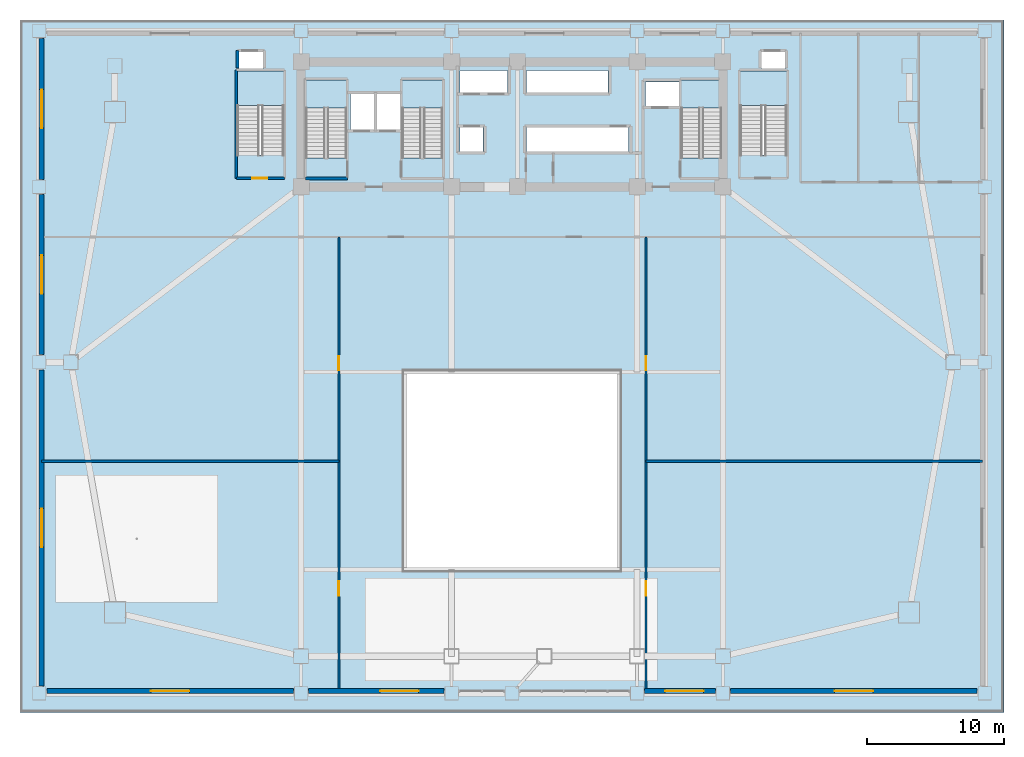
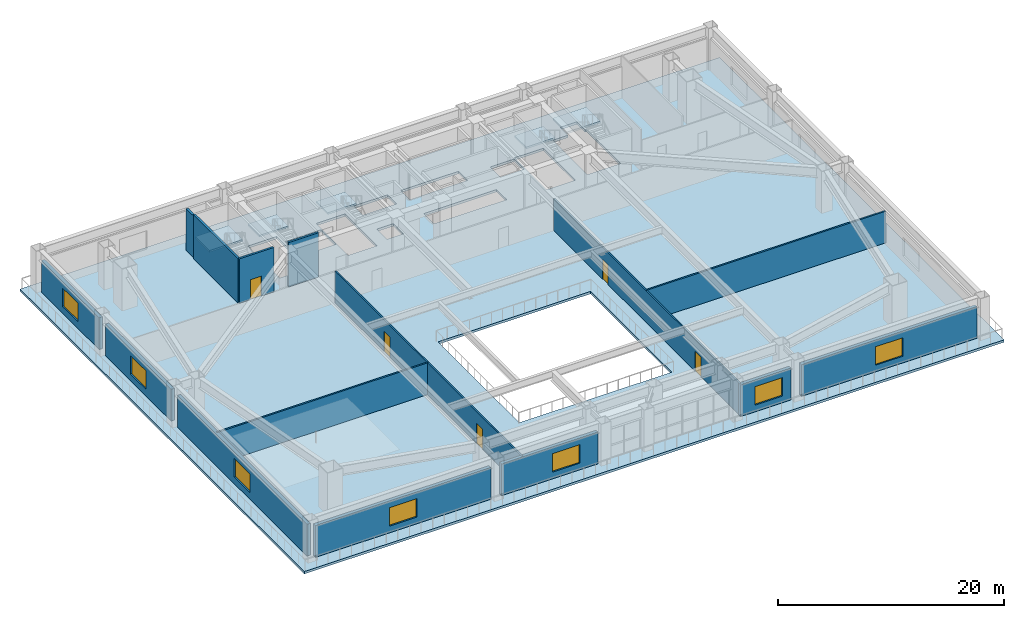
# One storey, part 6 of 14: 15 walls, 7 windows, 6 slabs, 5 doors, 12 openings, 5 elements without a shape of their own.
"""IFC4 building model written with IfcOpenShell, lengths in metres."""

from ifc_helpers import new_model, si_unit, direction, frame, frame_2d, origin, place, context, subcontext, project, spatial, polyline, rectangle, outline, extrude, source, transform, mapped, material, layer, layer_set, type_object, element, fill, aggregate, save


model = new_model("IFC4")

# Units and contexts
model_context = context("Model", 3, precision=1e-05, world=origin(), true_north=direction((0.0, 1.0)))
body_context = subcontext(model_context, "Body", "Model", "MODEL_VIEW")
ifc_project = project(units=[si_unit("LENGTHUNIT", "METRE"), si_unit("AREAUNIT", "SQUARE_METRE"), si_unit("VOLUMEUNIT", "CUBIC_METRE"), si_unit("PLANEANGLEUNIT", "RADIAN"), si_unit("MASSUNIT", "GRAM", prefix="KILO")], contexts=[model_context])

# Site, building, storey
site_placement = place(None, origin())
site = spatial("IfcSite", under=ifc_project, at=site_placement, CompositionType="ELEMENT")
building_placement = place(site_placement, origin())
building = spatial("IfcBuilding", under=site, at=building_placement, Name="Giltprow Tower", CompositionType="ELEMENT")
storey_placement = place(building_placement, frame((0.0, 0.0, 10.39990234375)))
storey = spatial("IfcBuildingStorey", under=building, at=storey_placement, Name="L03", CompositionType="ELEMENT", Elevation=10.39990234375)

# Slab
ifc_material_1 = material(Name="Concrete C40", Category="concrete")
ifc_layer_1 = layer(ifc_material_1, 0.260009765625, Name="Concrete C40")
ifc_layer_set_1 = layer_set([ifc_layer_1], Name="Concrete C40")
slab_type_1 = type_object("IfcSlabType", Name="SLB-POD-260", PredefinedType="FLOOR", material=ifc_layer_set_1)
slab_1_placement = place(storey_placement, frame((0.0, 0.0, -0.260009765625)))
element("IfcSlab", 1, at=slab_1_placement, inside=storey, type_object=slab_type_1, Name="L03 Structural Composite Floor Slab", PredefinedType="FLOOR", context=body_context, shape_type="SweptSolid", body=[
    extrude(outline(polyline([(-0.60009765625, 49.60009765625), (71.0, 49.60009765625), (71.0, -0.800048828125), (-0.60009765625, -0.800048828125), (-0.60009765625, 49.60009765625)]), holes=[polyline([(31.419921875, 41.800048828125), (31.419921875, 40.0), (33.10009765625, 40.0), (33.10009765625, 41.800048828125), (31.419921875, 41.800048828125)]), polyline([(23.159912109375, 39.570068359375), (23.159912109375, 45.25), (20.199951171875, 45.25), (20.199951171875, 39.570068359375), (23.159912109375, 39.570068359375)]), polyline([(30.159912109375, 39.570068359375), (30.159912109375, 45.25), (27.199951171875, 45.25), (27.199951171875, 39.570068359375), (30.159912109375, 39.570068359375)]), polyline([(18.60009765625, 39.77001953125), (18.60009765625, 45.89990234375), (17.070068359375, 45.89990234375), (17.070068359375, 47.300048828125), (15.35009765625, 47.300048828125), (15.35009765625, 45.89990234375), (15.199951171875, 45.89990234375), (15.199951171875, 39.77001953125), (18.60009765625, 39.77001953125)]), polyline([(25.169921875, 41.60009765625), (25.169921875, 44.199951171875), (23.449951171875, 44.199951171875), (23.449951171875, 41.60009765625), (25.169921875, 41.60009765625)]), polyline([(27.10009765625, 41.60009765625), (27.10009765625, 44.199951171875), (25.35009765625, 44.199951171875), (25.35009765625, 41.60009765625), (27.10009765625, 41.60009765625)]), polyline([(34.8798828125, 44.300048828125), (34.8798828125, 45.919921875), (31.419921875, 45.919921875), (31.419921875, 44.300048828125), (34.8798828125, 44.300048828125)]), polyline([(43.0, 9.60009765625), (43.0, 24.0), (27.39990234375, 24.0), (27.39990234375, 9.60009765625), (43.0, 9.60009765625)]), polyline([(43.659912109375, 40.0), (43.659912109375, 41.800048828125), (36.239990234375, 41.800048828125), (36.239990234375, 40.0), (43.659912109375, 40.0)]), polyline([(50.4599609375, 39.570068359375), (50.4599609375, 45.25), (47.5, 45.25), (47.5, 39.570068359375), (50.4599609375, 39.570068359375)]), polyline([(53.35009765625, 47.300048828125), (53.35009765625, 45.89990234375), (51.800048828125, 45.89990234375), (51.800048828125, 39.77001953125), (55.199951171875, 39.77001953125), (55.199951171875, 45.89990234375), (55.070068359375, 45.89990234375), (55.070068359375, 47.300048828125), (53.35009765625, 47.300048828125)]), polyline([(47.3798828125, 43.300048828125), (47.3798828125, 45.10009765625), (44.919921875, 45.10009765625), (44.919921875, 43.300048828125), (47.3798828125, 43.300048828125)]), polyline([(42.169921875, 44.300048828125), (42.169921875, 45.919921875), (36.239990234375, 45.919921875), (36.239990234375, 44.300048828125), (42.169921875, 44.300048828125)])]), origin(), (0.0, 0.0, 1.0), 0.260009765625),
])

# Stair, slab
stair_type_1 = type_object("IfcStairType", Name="STR-ST-1", PredefinedType="HALF_TURN_STAIR", material=ifc_material_1)
stair_1_placement = place(storey_placement, origin())
stair_1 = element("IfcStair", 2, at=stair_1_placement, inside=storey, type_object=stair_type_1, Name="L03 Core Exit Stair ST-1", PredefinedType="HALF_TURN_STAIR")
ifc_layer_2 = layer(ifc_material_1, 0.179931640625, Name="Concrete C40")
ifc_layer_set_2 = layer_set([ifc_layer_2], Name="Concrete C40")
slab_type_2 = type_object("IfcSlabType", Name="SLD-ST-1", PredefinedType="LANDING", material=ifc_layer_set_2)
slab_2_placement = place(storey_placement, frame((0.0, 0.0, 2.22021484375)))
slab_2 = element("IfcSlab", 3, at=slab_2_placement, type_object=slab_type_2, Name="ST-1 landing 1", PredefinedType="LANDING", context=body_context, shape_type="SweptSolid", body=[
    extrude(outline(polyline([(23.159912109375, 43.18994140625), (23.159912109375, 45.25), (20.199951171875, 45.25), (20.199951171875, 43.18994140625), (23.159912109375, 43.18994140625)])), origin(), (0.0, 0.0, 1.0), 0.179931640625),
])
aggregate(stair_1, [slab_2])

stair_type_2 = type_object("IfcStairType", Name="STR-ST-2", PredefinedType="HALF_TURN_STAIR", material=ifc_material_1)
stair_2_placement = place(storey_placement, origin())
stair_2 = element("IfcStair", 4, at=stair_2_placement, inside=storey, type_object=stair_type_2, Name="L03 Core Exit Stair ST-2", PredefinedType="HALF_TURN_STAIR")
ifc_layer_3 = layer(ifc_material_1, 0.18798828125, Name="Concrete C40")
ifc_layer_set_3 = layer_set([ifc_layer_3], Name="Concrete C40")
slab_type_3 = type_object("IfcSlabType", Name="SLD-ST-2", PredefinedType="LANDING", material=ifc_layer_set_3)
slab_3_placement = place(storey_placement, frame((0.0, 0.0, 2.212158203125)))
slab_3 = element("IfcSlab", 5, at=slab_3_placement, type_object=slab_type_3, Name="ST-2 landing 1", PredefinedType="LANDING", context=body_context, shape_type="SweptSolid", body=[
    extrude(outline(polyline([(30.159912109375, 43.18994140625), (30.159912109375, 45.25), (27.199951171875, 45.25), (27.199951171875, 43.18994140625), (30.159912109375, 43.18994140625)])), origin(), (0.0, 0.0, 1.0), 0.18798828125),
])
aggregate(stair_2, [slab_3])

stair_type_3 = type_object("IfcStairType", Name="STR-ST-3", PredefinedType="HALF_TURN_STAIR", material=ifc_material_1)
stair_3_placement = place(storey_placement, origin())
stair_3 = element("IfcStair", 6, at=stair_3_placement, inside=storey, type_object=stair_type_3, Name="L03 Core Exit Stair ST-3", PredefinedType="HALF_TURN_STAIR")
ifc_layer_4 = layer(ifc_material_1, 0.196044921875, Name="Concrete C40")
ifc_layer_set_4 = layer_set([ifc_layer_4], Name="Concrete C40")
slab_type_4 = type_object("IfcSlabType", Name="SLD-ST-3", PredefinedType="LANDING", material=ifc_layer_set_4)
slab_4_placement = place(storey_placement, frame((0.0, 0.0, 2.2041015625)))
slab_4 = element("IfcSlab", 7, at=slab_4_placement, type_object=slab_type_4, Name="ST-3 landing 1", PredefinedType="LANDING", context=body_context, shape_type="SweptSolid", body=[
    extrude(outline(polyline([(50.4599609375, 43.18994140625), (50.4599609375, 45.25), (47.5, 45.25), (47.5, 43.18994140625), (50.4599609375, 43.18994140625)])), origin(), (0.0, 0.0, 1.0), 0.196044921875),
])
aggregate(stair_3, [slab_4])

stair_type_4 = type_object("IfcStairType", Name="STR-ST-P1", PredefinedType="HALF_TURN_STAIR", material=ifc_material_1)
stair_4_placement = place(storey_placement, origin())
stair_4 = element("IfcStair", 8, at=stair_4_placement, inside=storey, type_object=stair_type_4, Name="L03 Podium Exit Stair ST-P1", PredefinedType="HALF_TURN_STAIR")
ifc_layer_5 = layer(ifc_material_1, 0.2041015625, Name="Concrete C40")
ifc_layer_set_5 = layer_set([ifc_layer_5], Name="Concrete C40")
slab_type_5 = type_object("IfcSlabType", Name="SLD-ST-P1", PredefinedType="LANDING", material=ifc_layer_set_5)
slab_5_placement = place(storey_placement, frame((0.0, 0.0, 2.196044921875)))
slab_5 = element("IfcSlab", 9, at=slab_5_placement, type_object=slab_type_5, Name="ST-P1 landing 1", PredefinedType="LANDING", context=body_context, shape_type="SweptSolid", body=[
    extrude(outline(polyline([(18.60009765625, 43.389892578125), (18.60009765625, 45.89990234375), (15.199951171875, 45.89990234375), (15.199951171875, 43.389892578125), (18.60009765625, 43.389892578125)])), origin(), (0.0, 0.0, 1.0), 0.2041015625),
])
aggregate(stair_4, [slab_5])

stair_type_5 = type_object("IfcStairType", Name="STR-ST-P2", PredefinedType="HALF_TURN_STAIR", material=ifc_material_1)
stair_5_placement = place(storey_placement, origin())
stair_5 = element("IfcStair", 10, at=stair_5_placement, inside=storey, type_object=stair_type_5, Name="L03 Podium Exit Stair ST-P2", PredefinedType="HALF_TURN_STAIR")
ifc_layer_6 = layer(ifc_material_1, 0.2119140625, Name="Concrete C40")
ifc_layer_set_6 = layer_set([ifc_layer_6], Name="Concrete C40")
slab_type_6 = type_object("IfcSlabType", Name="SLD-ST-P2", PredefinedType="LANDING", material=ifc_layer_set_6)
slab_6_placement = place(storey_placement, frame((0.0, 0.0, 2.18798828125)))
slab_6 = element("IfcSlab", 11, at=slab_6_placement, type_object=slab_type_6, Name="ST-P2 landing 1", PredefinedType="LANDING", context=body_context, shape_type="SweptSolid", body=[
    extrude(outline(polyline([(55.199951171875, 43.389892578125), (55.199951171875, 45.89990234375), (51.800048828125, 45.89990234375), (51.800048828125, 43.389892578125), (55.199951171875, 43.389892578125)])), origin(), (0.0, 0.0, 1.0), 0.212158203125),
])
aggregate(stair_5, [slab_6])

# Wall, opening, window
ifc_material_2 = material(Name="Precast concrete C40", Category="concrete")
ifc_layer_7 = layer(ifc_material_2, 0.360107421875, Name="Precast concrete C40")
ifc_layer_set_7 = layer_set([ifc_layer_7], Name="Precast concrete C40")
wall_type_1 = type_object("IfcWallType", Name="EW-POD-STONE-360", PredefinedType="SOLIDWALL", material=ifc_layer_set_7)
wall_1_placement = place(storey_placement, frame((1.35009765625, 0.780029296875, 0.0), z_axis=(0.0, 0.0, 1.0), x_axis=(1.0, 0.0, 0.0)))
wall_1 = element("IfcWall", 12, at=wall_1_placement, inside=storey, type_object=wall_type_1, Name="L03 South Podium Masonry Wall 1", PredefinedType="SOLIDWALL", context=body_context, shape_type="SweptSolid", body=[
    extrude(rectangle(XDim=17.949951171875, YDim=0.360107421875, at=frame_2d((8.97509765625, 0.0))), origin(), (0.0, 0.0, 1.0), 3.420166015625),
])
opening_1_placement = place(wall_1_placement, frame((7.574951171875, 0.0, 0.719970703125)))
opening_1 = element("IfcOpeningElement", 13, at=opening_1_placement, cuts=wall_1, Name="Opening WN31", PredefinedType="OPENING", context=body_context, shape_type="SweptSolid", body=[
    extrude(rectangle(XDim=2.800048828125, YDim=2.0, at=frame_2d((1.39990234375, 1.0))), frame((0.0, 0.18994140625, 0.0), z_axis=(0.0, -1.0, 0.0), x_axis=(1.0, 0.0, 0.0)), (0.0, 0.0, 1.0), 0.380126953125),
])
ifc_material_3 = material(Name="Insulated glass", Category="glass")
window_type = type_object("IfcWindowType", Name="WN-POD-2800x2000", PartitioningType="SINGLE_PANEL", PredefinedType="WINDOW", material=ifc_material_3)
shared_shape_1 = source(origin(), body_context, "Body", "SweptSolid", [
    extrude(rectangle(XDim=2.800048828125, YDim=2.0, at=frame_2d((1.39990234375, 1.0))), frame((0.0, 0.030029296875, 0.0), z_axis=(0.0, -1.0, 0.0), x_axis=(1.0, 0.0, 0.0)), (0.0, 0.0, 1.0), 0.06005859375),
])
window_1_placement = place(opening_1_placement, origin())
window_1 = element("IfcWindow", 14, at=window_1_placement, inside=storey, type_object=window_type, Name="L03 Podium South Window 1", OverallHeight=2.0, OverallWidth=2.800048828125, PartitioningType="SINGLE_PANEL", PredefinedType="WINDOW", context=body_context, shape_type="MappedRepresentation", body=[
    mapped(shared_shape_1, transform((0.0, 0.0, 0.0), x_axis=(1.0, 0.0, 0.0), y_axis=(0.0, 1.0, 0.0), z_axis=(0.0, 0.0, 1.0), scale=1.0)),
])
fill(opening_1, window_1)

wall_2_placement = place(storey_placement, frame((20.39990234375, 0.780029296875, 0.0), z_axis=(0.0, 0.0, 1.0), x_axis=(1.0, 0.0, 0.0)))
wall_2 = element("IfcWall", 15, at=wall_2_placement, inside=storey, type_object=wall_type_1, Name="L03 South Podium Masonry Wall 2", PredefinedType="SOLIDWALL", context=body_context, shape_type="SweptSolid", body=[
    extrude(rectangle(XDim=9.85009765625, YDim=0.360107421875, at=frame_2d((4.925048828125, 0.0))), origin(), (0.0, 0.0, 1.0), 3.420166015625),
])
opening_2_placement = place(wall_2_placement, frame((5.199951171875, 0.0, 0.719970703125)))
opening_2 = element("IfcOpeningElement", 16, at=opening_2_placement, cuts=wall_2, Name="Opening WN31", PredefinedType="OPENING", context=body_context, shape_type="SweptSolid", body=[
    extrude(rectangle(XDim=2.800048828125, YDim=2.0, at=frame_2d((1.39990234375, 1.0))), frame((0.0, 0.18994140625, 0.0), z_axis=(0.0, -1.0, 0.0), x_axis=(1.0, 0.0, 0.0)), (0.0, 0.0, 1.0), 0.380126953125),
])
window_2_placement = place(opening_2_placement, origin())
window_2 = element("IfcWindow", 17, at=window_2_placement, inside=storey, type_object=window_type, Name="L03 Podium South Window 2", OverallHeight=2.0, OverallWidth=2.800048828125, PartitioningType="SINGLE_PANEL", PredefinedType="WINDOW", context=body_context, shape_type="MappedRepresentation", body=[
    mapped(shared_shape_1, transform((0.0, 0.0, 0.0), x_axis=(1.0, 0.0, 0.0), y_axis=(0.0, 1.0, 0.0), z_axis=(0.0, 0.0, 1.0), scale=1.0)),
])
fill(opening_2, window_2)

wall_3_placement = place(storey_placement, frame((44.85009765625, 0.780029296875, 0.0), z_axis=(0.0, 0.0, 1.0), x_axis=(1.0, 0.0, 0.0)))
wall_3 = element("IfcWall", 18, at=wall_3_placement, inside=storey, type_object=wall_type_1, Name="L03 South Podium Masonry Wall 5", PredefinedType="SOLIDWALL", context=body_context, shape_type="SweptSolid", body=[
    extrude(rectangle(XDim=5.14990234375, YDim=0.360107421875, at=frame_2d((2.574951171875, 0.0))), origin(), (0.0, 0.0, 1.0), 3.420166015625),
])
opening_3_placement = place(wall_3_placement, frame((1.5, 0.0, 0.719970703125)))
opening_3 = element("IfcOpeningElement", 19, at=opening_3_placement, cuts=wall_3, Name="Opening WN31", PredefinedType="OPENING", context=body_context, shape_type="SweptSolid", body=[
    extrude(rectangle(XDim=2.800048828125, YDim=2.0, at=frame_2d((1.39990234375, 1.0))), frame((0.0, 0.18994140625, 0.0), z_axis=(0.0, -1.0, 0.0), x_axis=(1.0, 0.0, 0.0)), (0.0, 0.0, 1.0), 0.380126953125),
])
window_3_placement = place(opening_3_placement, origin())
window_3 = element("IfcWindow", 20, at=window_3_placement, inside=storey, type_object=window_type, Name="L03 Podium South Window 5", OverallHeight=2.0, OverallWidth=2.800048828125, PartitioningType="SINGLE_PANEL", PredefinedType="WINDOW", context=body_context, shape_type="MappedRepresentation", body=[
    mapped(shared_shape_1, transform((0.0, 0.0, 0.0), x_axis=(1.0, 0.0, 0.0), y_axis=(0.0, 1.0, 0.0), z_axis=(0.0, 0.0, 1.0), scale=1.0)),
])
fill(opening_3, window_3)

wall_4_placement = place(storey_placement, frame((51.10009765625, 0.780029296875, 0.0), z_axis=(0.0, 0.0, 1.0), x_axis=(1.0, 0.0, 0.0)))
wall_4 = element("IfcWall", 21, at=wall_4_placement, inside=storey, type_object=wall_type_1, Name="L03 South Podium Masonry Wall 6", PredefinedType="SOLIDWALL", context=body_context, shape_type="SweptSolid", body=[
    extrude(rectangle(XDim=17.949951171875, YDim=0.360107421875, at=frame_2d((8.97509765625, 0.0))), origin(), (0.0, 0.0, 1.0), 3.420166015625),
])
opening_4_placement = place(wall_4_placement, frame((7.574951171875, 0.0, 0.719970703125)))
opening_4 = element("IfcOpeningElement", 22, at=opening_4_placement, cuts=wall_4, Name="Opening WN31", PredefinedType="OPENING", context=body_context, shape_type="SweptSolid", body=[
    extrude(rectangle(XDim=2.800048828125, YDim=2.0, at=frame_2d((1.39990234375, 1.0))), frame((0.0, 0.18994140625, 0.0), z_axis=(0.0, -1.0, 0.0), x_axis=(1.0, 0.0, 0.0)), (0.0, 0.0, 1.0), 0.380126953125),
])
window_4_placement = place(opening_4_placement, origin())
window_4 = element("IfcWindow", 23, at=window_4_placement, inside=storey, type_object=window_type, Name="L03 Podium South Window 6", OverallHeight=2.0, OverallWidth=2.800048828125, PartitioningType="SINGLE_PANEL", PredefinedType="WINDOW", context=body_context, shape_type="MappedRepresentation", body=[
    mapped(shared_shape_1, transform((0.0, 0.0, 0.0), x_axis=(1.0, 0.0, 0.0), y_axis=(0.0, 1.0, 0.0), z_axis=(0.0, 0.0, 1.0), scale=1.0)),
])
fill(opening_4, window_4)

wall_5_placement = place(storey_placement, frame((0.97998046875, 1.14990234375, 0.0), z_axis=(0.0, 0.0, 1.0), x_axis=(0.0, 1.0, 0.0)))
wall_5 = element("IfcWall", 24, at=wall_5_placement, inside=storey, type_object=wall_type_1, Name="L03 W Podium Masonry Wall 1", PredefinedType="SOLIDWALL", context=body_context, shape_type="SweptSolid", body=[
    extrude(rectangle(XDim=23.0, YDim=0.360107421875, at=frame_2d((11.5, 0.0))), origin(), (0.0, 0.0, 1.0), 3.420166015625),
])
opening_5_placement = place(wall_5_placement, frame((10.10009765625, 0.0, 0.719970703125)))
opening_5 = element("IfcOpeningElement", 25, at=opening_5_placement, cuts=wall_5, Name="Opening WN31", PredefinedType="OPENING", context=body_context, shape_type="SweptSolid", body=[
    extrude(rectangle(XDim=2.800048828125, YDim=2.0, at=frame_2d((1.39990234375, 1.0))), frame((0.0, 0.18994140625, 0.0), z_axis=(0.0, -1.0, 0.0), x_axis=(1.0, 0.0, 0.0)), (0.0, 0.0, 1.0), 0.380126953125),
])
window_5_placement = place(opening_5_placement, origin())
window_5 = element("IfcWindow", 26, at=window_5_placement, inside=storey, type_object=window_type, Name="L03 Podium W Window 1", OverallHeight=2.0, OverallWidth=2.800048828125, PartitioningType="SINGLE_PANEL", PredefinedType="WINDOW", context=body_context, shape_type="MappedRepresentation", body=[
    mapped(shared_shape_1, transform((0.0, 0.0, 0.0), x_axis=(1.0, 0.0, 0.0), y_axis=(0.0, 1.0, 0.0), z_axis=(0.0, 0.0, 1.0), scale=1.0)),
])
fill(opening_5, window_5)

wall_6_placement = place(storey_placement, frame((0.97998046875, 25.25, 0.0), z_axis=(0.0, 0.0, 1.0), x_axis=(0.0, 1.0, 0.0)))
wall_6 = element("IfcWall", 27, at=wall_6_placement, inside=storey, type_object=wall_type_1, Name="L03 W Podium Masonry Wall 2", PredefinedType="SOLIDWALL", context=body_context, shape_type="SweptSolid", body=[
    extrude(rectangle(XDim=11.64990234375, YDim=0.360107421875, at=frame_2d((5.824951171875, 0.0))), origin(), (0.0, 0.0, 1.0), 3.420166015625),
])
opening_6_placement = place(wall_6_placement, frame((4.425048828125, 0.0, 0.719970703125)))
opening_6 = element("IfcOpeningElement", 28, at=opening_6_placement, cuts=wall_6, Name="Opening WN31", PredefinedType="OPENING", context=body_context, shape_type="SweptSolid", body=[
    extrude(rectangle(XDim=2.800048828125, YDim=2.0, at=frame_2d((1.39990234375, 1.0))), frame((0.0, 0.18994140625, 0.0), z_axis=(0.0, -1.0, 0.0), x_axis=(1.0, 0.0, 0.0)), (0.0, 0.0, 1.0), 0.380126953125),
])
window_6_placement = place(opening_6_placement, origin())
window_6 = element("IfcWindow", 29, at=window_6_placement, inside=storey, type_object=window_type, Name="L03 Podium W Window 2", OverallHeight=2.0, OverallWidth=2.800048828125, PartitioningType="SINGLE_PANEL", PredefinedType="WINDOW", context=body_context, shape_type="MappedRepresentation", body=[
    mapped(shared_shape_1, transform((0.0, 0.0, 0.0), x_axis=(1.0, 0.0, 0.0), y_axis=(0.0, 1.0, 0.0), z_axis=(0.0, 0.0, 1.0), scale=1.0)),
])
fill(opening_6, window_6)

wall_7_placement = place(storey_placement, frame((0.97998046875, 38.0, 0.0), z_axis=(0.0, 0.0, 1.0), x_axis=(0.0, 1.0, 0.0)))
wall_7 = element("IfcWall", 30, at=wall_7_placement, inside=storey, type_object=wall_type_1, Name="L03 W Podium Masonry Wall 3", PredefinedType="SOLIDWALL", context=body_context, shape_type="SweptSolid", body=[
    extrude(rectangle(XDim=10.25, YDim=0.360107421875, at=frame_2d((5.125, 0.0))), origin(), (0.0, 0.0, 1.0), 3.420166015625),
])
opening_7_placement = place(wall_7_placement, frame((3.72509765625, 0.0, 0.719970703125)))
opening_7 = element("IfcOpeningElement", 31, at=opening_7_placement, cuts=wall_7, Name="Opening WN31", PredefinedType="OPENING", context=body_context, shape_type="SweptSolid", body=[
    extrude(rectangle(XDim=2.800048828125, YDim=2.0, at=frame_2d((1.39990234375, 1.0))), frame((0.0, 0.18994140625, 0.0), z_axis=(0.0, -1.0, 0.0), x_axis=(1.0, 0.0, 0.0)), (0.0, 0.0, 1.0), 0.380126953125),
])
window_7_placement = place(opening_7_placement, origin())
window_7 = element("IfcWindow", 32, at=window_7_placement, inside=storey, type_object=window_type, Name="L03 Podium W Window 3", OverallHeight=2.0, OverallWidth=2.800048828125, PartitioningType="SINGLE_PANEL", PredefinedType="WINDOW", context=body_context, shape_type="MappedRepresentation", body=[
    mapped(shared_shape_1, transform((0.0, 0.0, 0.0), x_axis=(1.0, 0.0, 0.0), y_axis=(0.0, 1.0, 0.0), z_axis=(0.0, 0.0, 1.0), scale=1.0)),
])
fill(opening_7, window_7)

# Wall, openings, doors
ifc_material_4 = material(Name="Gypsum stud partition", Category="gypsum")
ifc_layer_8 = layer(ifc_material_4, 0.14990234375, Name="Gypsum stud partition")
ifc_layer_set_8 = layer_set([ifc_layer_8], Name="Gypsum stud partition")
wall_type_2 = type_object("IfcWallType", Name="IW-CORR-150", PredefinedType="PARTITIONING", material=ifc_layer_set_8)
wall_8_placement = place(storey_placement, frame((22.60009765625, 0.780029296875, 0.0), z_axis=(0.0, 0.0, 1.0), x_axis=(0.0, 1.0, 0.0)))
wall_8 = element("IfcWall", 33, at=wall_8_placement, inside=storey, type_object=wall_type_2, Name="L03 West Concourse Demising Wall", PredefinedType="PARTITIONING", context=body_context, shape_type="SweptSolid", body=[
    extrude(rectangle(XDim=33.02001953125, YDim=0.14990234375, at=frame_2d((16.510009765625, 0.0))), origin(), (0.0, 0.0, 1.0), 3.425048828125),
])
opening_8_placement = place(wall_8_placement, frame((6.919921875, 0.0, 0.0)))
opening_8 = element("IfcOpeningElement", 34, at=opening_8_placement, cuts=wall_8, Name="Opening ID31", PredefinedType="OPENING", context=body_context, shape_type="SweptSolid", body=[
    extrude(rectangle(XDim=1.050048828125, YDim=2.14990234375, at=frame_2d((0.52490234375, 1.074951171875))), frame((0.0, 0.0849609375, 0.0), z_axis=(0.0, -1.0, 0.0), x_axis=(1.0, 0.0, 0.0)), (0.0, 0.0, 1.0), 0.169921875),
])
opening_9_placement = place(wall_8_placement, frame((23.320068359375, 0.0, 0.0)))
opening_9 = element("IfcOpeningElement", 35, at=opening_9_placement, cuts=wall_8, Name="Opening ID31", PredefinedType="OPENING", context=body_context, shape_type="SweptSolid", body=[
    extrude(rectangle(XDim=1.050048828125, YDim=2.14990234375, at=frame_2d((0.52490234375, 1.074951171875))), frame((0.0, 0.0849609375, 0.0), z_axis=(0.0, -1.0, 0.0), x_axis=(1.0, 0.0, 0.0)), (0.0, 0.0, 1.0), 0.169921875),
])
ifc_material_5 = material(Name="Engineered timber", Category="wood")
door_type_1 = type_object("IfcDoorType", Name="DR-SUITE-1050", OperationType="SINGLE_SWING_LEFT", PredefinedType="DOOR", material=ifc_material_5)
shared_shape_2 = source(origin(), body_context, "Body", "SweptSolid", [
    extrude(rectangle(XDim=1.050048828125, YDim=2.14990234375, at=frame_2d((0.52490234375, 1.074951171875))), frame((0.0, 0.02490234375, 0.0), z_axis=(0.0, -1.0, 0.0), x_axis=(1.0, 0.0, 0.0)), (0.0, 0.0, 1.0), 0.050048828125),
])
door_1_placement = place(opening_8_placement, origin())
door_1 = element("IfcDoor", 36, at=door_1_placement, inside=storey, type_object=door_type_1, Name="L03 Maritime Exhibition Gallery West Door", OperationType="SINGLE_SWING_LEFT", OverallHeight=2.14990234375, OverallWidth=1.050048828125, PredefinedType="DOOR", context=body_context, shape_type="MappedRepresentation", body=[
    mapped(shared_shape_2, transform((0.0, 0.0, 0.0), x_axis=(1.0, 0.0, 0.0), y_axis=(0.0, 1.0, 0.0), z_axis=(0.0, 0.0, 1.0), scale=1.0)),
])
fill(opening_8, door_1)
door_2_placement = place(opening_9_placement, origin())
door_2 = element("IfcDoor", 37, at=door_2_placement, inside=storey, type_object=door_type_1, Name="L03 Contemporary Design Studio Hall Door", OperationType="SINGLE_SWING_RIGHT", OverallHeight=2.14990234375, OverallWidth=1.050048828125, PredefinedType="DOOR", context=body_context, shape_type="MappedRepresentation", body=[
    mapped(shared_shape_2, transform((0.0, 0.0, 0.0), x_axis=(1.0, 0.0, 0.0), y_axis=(0.0, 1.0, 0.0), z_axis=(0.0, 0.0, 1.0), scale=1.0)),
])
fill(opening_9, door_2)

wall_9_placement = place(storey_placement, frame((44.949951171875, 0.780029296875, 0.0), z_axis=(0.0, 0.0, 1.0), x_axis=(0.0, 1.0, 0.0)))
wall_9 = element("IfcWall", 38, at=wall_9_placement, inside=storey, type_object=wall_type_2, Name="L03 East Concourse Demising Wall", PredefinedType="PARTITIONING", context=body_context, shape_type="SweptSolid", body=[
    extrude(rectangle(XDim=33.02001953125, YDim=0.14990234375, at=frame_2d((16.510009765625, 0.0))), origin(), (0.0, 0.0, 1.0), 3.425048828125),
])
opening_10_placement = place(wall_9_placement, frame((6.919921875, 0.0, 0.0)))
opening_10 = element("IfcOpeningElement", 39, at=opening_10_placement, cuts=wall_9, Name="Opening ID31", PredefinedType="OPENING", context=body_context, shape_type="SweptSolid", body=[
    extrude(rectangle(XDim=1.050048828125, YDim=2.14990234375, at=frame_2d((0.52490234375, 1.074951171875))), frame((0.0, 0.0849609375, 0.0), z_axis=(0.0, -1.0, 0.0), x_axis=(1.0, 0.0, 0.0)), (0.0, 0.0, 1.0), 0.169921875),
])
opening_11_placement = place(wall_9_placement, frame((23.320068359375, 0.0, 0.0)))
opening_11 = element("IfcOpeningElement", 40, at=opening_11_placement, cuts=wall_9, Name="Opening ID31", PredefinedType="OPENING", context=body_context, shape_type="SweptSolid", body=[
    extrude(rectangle(XDim=1.050048828125, YDim=2.14990234375, at=frame_2d((0.52490234375, 1.074951171875))), frame((0.0, 0.0849609375, 0.0), z_axis=(0.0, -1.0, 0.0), x_axis=(1.0, 0.0, 0.0)), (0.0, 0.0, 1.0), 0.169921875),
])
door_3_placement = place(opening_10_placement, origin())
door_3 = element("IfcDoor", 41, at=door_3_placement, inside=storey, type_object=door_type_1, Name="L03 Executive Conference Auditorium Door", OperationType="SINGLE_SWING_LEFT", OverallHeight=2.14990234375, OverallWidth=1.050048828125, PredefinedType="DOOR", context=body_context, shape_type="MappedRepresentation", body=[
    mapped(shared_shape_2, transform((0.0, 0.0, 0.0), x_axis=(1.0, 0.0, 0.0), y_axis=(0.0, 1.0, 0.0), z_axis=(0.0, 0.0, 1.0), scale=1.0)),
])
fill(opening_10, door_3)
door_4_placement = place(opening_11_placement, origin())
door_4 = element("IfcDoor", 42, at=door_4_placement, inside=storey, type_object=door_type_1, Name="L03 Boardroom and Seminar Suite Door", OperationType="SINGLE_SWING_RIGHT", OverallHeight=2.14990234375, OverallWidth=1.050048828125, PredefinedType="DOOR", context=body_context, shape_type="MappedRepresentation", body=[
    mapped(shared_shape_2, transform((0.0, 0.0, 0.0), x_axis=(1.0, 0.0, 0.0), y_axis=(0.0, 1.0, 0.0), z_axis=(0.0, 0.0, 1.0), scale=1.0)),
])
fill(opening_11, door_4)

# Walls
ifc_layer_9 = layer(ifc_material_4, 0.159912109375, Name="Gypsum stud partition")
ifc_layer_set_9 = layer_set([ifc_layer_9], Name="Gypsum stud partition")
wall_type_3 = type_object("IfcWallType", Name="IW-DEMISE-160", PredefinedType="PARTITIONING", material=ifc_layer_set_9)
wall_10_placement = place(storey_placement, frame((0.97998046875, 17.5, 0.0), z_axis=(0.0, 0.0, 1.0), x_axis=(1.0, 0.0, 0.0)))
element("IfcWall", 43, at=wall_10_placement, inside=storey, type_object=wall_type_3, Name="L03 West Podium Hall Divider", PredefinedType="PARTITIONING", context=body_context, shape_type="SweptSolid", body=[
    extrude(rectangle(XDim=21.6201171875, YDim=0.159912109375, at=frame_2d((10.81005859375, 0.0))), origin(), (0.0, 0.0, 1.0), 3.425048828125),
])
wall_11_placement = place(storey_placement, frame((44.949951171875, 17.5, 0.0), z_axis=(0.0, 0.0, 1.0), x_axis=(1.0, 0.0, 0.0)))
element("IfcWall", 44, at=wall_11_placement, inside=storey, type_object=wall_type_3, Name="L03 East Podium Hall Divider", PredefinedType="PARTITIONING", context=body_context, shape_type="SweptSolid", body=[
    extrude(rectangle(XDim=24.469970703125, YDim=0.159912109375, at=frame_2d((12.23486328125, 0.0))), origin(), (0.0, 0.0, 1.0), 3.425048828125),
])
ifc_layer_10 = layer(ifc_material_1, 0.219970703125, Name="Concrete C40")
ifc_layer_set_10 = layer_set([ifc_layer_10], Name="Concrete C40")
wall_type_4 = type_object("IfcWallType", Name="IW-SHAFT-220", PredefinedType="SOLIDWALL", material=ifc_layer_set_10)
wall_12_placement = place(storey_placement, frame((15.22998046875, 46.090087890625, 0.0), z_axis=(0.0, 0.0, 1.0), x_axis=(0.0, 1.0, 0.0)))
element("IfcWall", 45, at=wall_12_placement, inside=storey, type_object=wall_type_4, Name="L03 PL-P1 West Shaft Wall", PredefinedType="SOLIDWALL", context=body_context, shape_type="SweptSolid", body=[
    extrude(rectangle(XDim=1.289794921875, YDim=0.219970703125, at=frame_2d((0.64501953125, 0.0))), origin(), (0.0, 0.0, 1.0), 4.5400390625),
])
ifc_layer_11 = layer(ifc_material_1, 0.199951171875, Name="Concrete C40")
ifc_layer_set_11 = layer_set([ifc_layer_11], Name="Concrete C40")
wall_type_5 = type_object("IfcWallType", Name="IW-STAIR-200", PredefinedType="SOLIDWALL", material=ifc_layer_set_11)
wall_13_placement = place(storey_placement, frame((20.169921875, 38.070068359375, 0.0), z_axis=(0.0, 0.0, 1.0), x_axis=(1.0, 0.0, 0.0)))
element("IfcWall", 46, at=wall_13_placement, inside=storey, type_object=wall_type_5, Name="L03 Stair ST-1 South Bearing Wall", PredefinedType="SOLIDWALL", context=body_context, shape_type="SweptSolid", body=[
    extrude(rectangle(XDim=3.050048828125, YDim=0.199951171875, at=frame_2d((1.52490234375, 0.0))), origin(), (0.0, 0.0, 1.0), 4.800048828125),
])
wall_14_placement = place(storey_placement, frame((15.139892578125, 38.080078125, 0.0), z_axis=(0.0, 0.0, 1.0), x_axis=(0.0, 1.0, 0.0)))
element("IfcWall", 47, at=wall_14_placement, inside=storey, type_object=wall_type_5, Name="L03 Podium Stair ST-P1 West Bearing Wall", PredefinedType="SOLIDWALL", context=body_context, shape_type="SweptSolid", body=[
    extrude(rectangle(XDim=7.89990234375, YDim=0.199951171875, at=frame_2d((3.949951171875, 0.0))), origin(), (0.0, 0.0, 1.0), 4.800048828125),
])

# Wall, opening, door
wall_15_placement = place(storey_placement, frame((15.139892578125, 38.080078125, 0.0), z_axis=(0.0, 0.0, 1.0), x_axis=(1.0, 0.0, 0.0)))
wall_15 = element("IfcWall", 48, at=wall_15_placement, inside=storey, type_object=wall_type_5, Name="L03 Podium Stair ST-P1 South Bearing Wall", PredefinedType="SOLIDWALL", context=body_context, shape_type="SweptSolid", body=[
    extrude(rectangle(XDim=3.52001953125, YDim=0.199951171875, at=frame_2d((1.760009765625, 0.0))), origin(), (0.0, 0.0, 1.0), 4.800048828125),
])
opening_12_placement = place(wall_15_placement, frame((1.14990234375, 0.0, 0.0)))
opening_12 = element("IfcOpeningElement", 49, at=opening_12_placement, cuts=wall_15, Name="Opening ID33", PredefinedType="OPENING", context=body_context, shape_type="SweptSolid", body=[
    extrude(rectangle(XDim=1.10009765625, YDim=2.14990234375, at=frame_2d((0.550048828125, 1.074951171875))), frame((0.0, 0.10986328125, 0.0), z_axis=(0.0, -1.0, 0.0), x_axis=(1.0, 0.0, 0.0)), (0.0, 0.0, 1.0), 0.219970703125),
])
ifc_material_6 = material(Name="Steel fire leaf", Category="steel")
door_type_2 = type_object("IfcDoorType", Name="DR-STAIR-1100", OperationType="SINGLE_SWING_LEFT", PredefinedType="DOOR", material=ifc_material_6)
shared_shape_3 = source(origin(), body_context, "Body", "SweptSolid", [
    extrude(rectangle(XDim=1.10009765625, YDim=2.14990234375, at=frame_2d((0.550048828125, 1.074951171875))), frame((0.0, 0.02490234375, 0.0), z_axis=(0.0, -1.0, 0.0), x_axis=(1.0, 0.0, 0.0)), (0.0, 0.0, 1.0), 0.050048828125),
])
door_5_placement = place(opening_12_placement, origin())
door_5 = element("IfcDoor", 50, at=door_5_placement, inside=storey, type_object=door_type_2, Name="L03 Podium Stair ST-P1 Door", OperationType="SINGLE_SWING_LEFT", OverallHeight=2.14990234375, OverallWidth=1.10009765625, PredefinedType="DOOR", context=body_context, shape_type="MappedRepresentation", body=[
    mapped(shared_shape_3, transform((0.0, 0.0, 0.0), x_axis=(1.0, 0.0, 0.0), y_axis=(0.0, 1.0, 0.0), z_axis=(0.0, 0.0, 1.0), scale=1.0)),
])
fill(opening_12, door_5)

save(model, "model.ifc")
